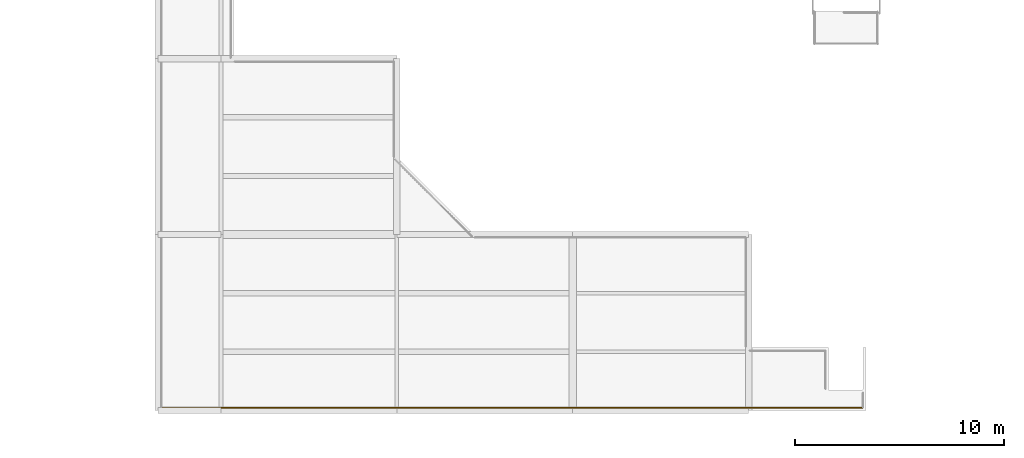
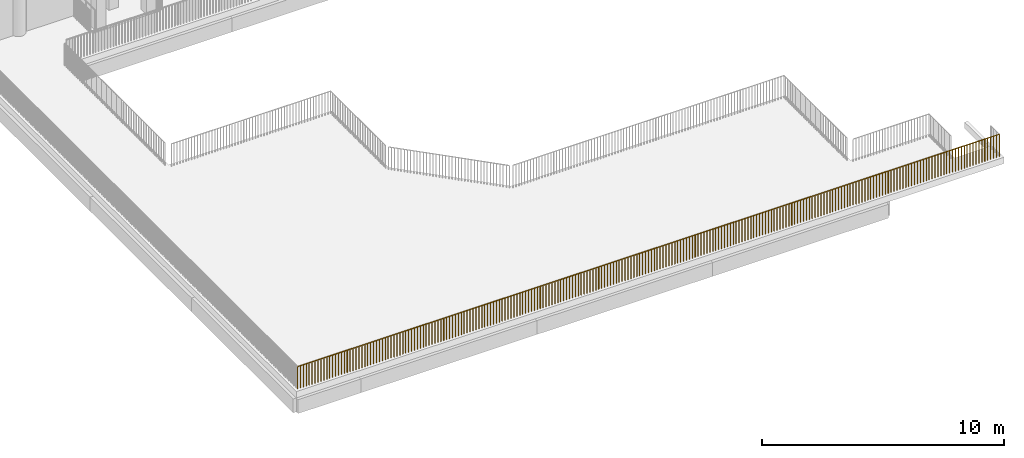
# One storey, part 37 of 51: 1 railing.
"""IFC4 building model written with IfcOpenShell, lengths in metres."""

from ifc_helpers import new_model, si_unit, direction, frame, origin, origin_2d, place, context, subcontext, project, spatial, circle, extrude, material, type_object, element, save


model = new_model("IFC4")

# Units and contexts
model_context = context("Model", 3, precision=1e-05, world=origin(), true_north=direction((0.0, 1.0)))
body_context = subcontext(model_context, "Body", "Model", "MODEL_VIEW")
ifc_project = project(units=[si_unit("LENGTHUNIT", "METRE"), si_unit("AREAUNIT", "SQUARE_METRE"), si_unit("VOLUMEUNIT", "CUBIC_METRE"), si_unit("PLANEANGLEUNIT", "RADIAN"), si_unit("MASSUNIT", "GRAM", prefix="KILO")], contexts=[model_context])

# Site, building, storey
site_placement = place(None, origin())
site = spatial("IfcSite", under=ifc_project, at=site_placement, CompositionType="ELEMENT")
building_placement = place(site_placement, origin())
building = spatial("IfcBuilding", under=site, at=building_placement, Name="Vanh Quang Courtyard School", CompositionType="ELEMENT")
storey_placement = place(building_placement, frame((0.0, 0.0, 11.39990234375)))
storey = spatial("IfcBuildingStorey", under=building, at=storey_placement, Name="L03", CompositionType="ELEMENT", Elevation=11.39990234375)

# Railing
ifc_material = material(Name="Galvanised painted steel EN 10025-2 S355J2", Category="steel")
railing_type = type_object("IfcRailingType", Name="RAIL-GUARD-1150", PredefinedType="BALUSTRADE", material=ifc_material)
railing_placement = place(storey_placement, frame((108.06005859375, 4.340087890625, 0.0)))
element("IfcRailing", 1, at=railing_placement, inside=storey, type_object=railing_type, Name="Railing GR-01 (L03)", PredefinedType="BALUSTRADE", context=body_context, shape_type="SweptSolid", body=[
    extrude(circle(Radius=0.02392578125, at=origin_2d()), frame((0.0, 0.0, 1.1259765625), z_axis=(-1.0, 0.0, 0.0), x_axis=(0.0, -1.0, 0.0)), (0.0, 0.0, 1.0), 33.52001953125),
    extrude(circle(Radius=0.02099609375, at=origin_2d()), origin(), (0.0, 0.0, 1.0), 1.101806640625),
    extrude(circle(Radius=0.02099609375, at=origin_2d()), frame((-0.1396484375, 0.0, 0.0)), (0.0, 0.0, 1.0), 1.101806640625),
    extrude(circle(Radius=0.02099609375, at=origin_2d()), frame((-0.279296875, 0.0, 0.0)), (0.0, 0.0, 1.0), 1.101806640625),
    extrude(circle(Radius=0.02099609375, at=origin_2d()), frame((-0.4189453125, 0.0, 0.0)), (0.0, 0.0, 1.0), 1.101806640625),
    extrude(circle(Radius=0.02099609375, at=origin_2d()), frame((-0.55859375, 0.0, 0.0)), (0.0, 0.0, 1.0), 1.101806640625),
    extrude(circle(Radius=0.02099609375, at=origin_2d()), frame((-0.6982421875, 0.0, 0.0)), (0.0, 0.0, 1.0), 1.101806640625),
    extrude(circle(Radius=0.02099609375, at=origin_2d()), frame((-0.837890625, 0.0, 0.0)), (0.0, 0.0, 1.0), 1.101806640625),
    extrude(circle(Radius=0.02099609375, at=origin_2d()), frame((-0.977783203125, 0.0, 0.0)), (0.0, 0.0, 1.0), 1.101806640625),
    extrude(circle(Radius=0.02099609375, at=origin_2d()), frame((-1.117431640625, 0.0, 0.0)), (0.0, 0.0, 1.0), 1.101806640625),
    extrude(circle(Radius=0.02099609375, at=origin_2d()), frame((-1.257080078125, 0.0, 0.0)), (0.0, 0.0, 1.0), 1.101806640625),
    extrude(circle(Radius=0.02099609375, at=origin_2d()), frame((-1.396728515625, 0.0, 0.0)), (0.0, 0.0, 1.0), 1.101806640625),
    extrude(circle(Radius=0.02099609375, at=origin_2d()), frame((-1.536376953125, 0.0, 0.0)), (0.0, 0.0, 1.0), 1.101806640625),
    extrude(circle(Radius=0.02099609375, at=origin_2d()), frame((-1.676025390625, 0.0, 0.0)), (0.0, 0.0, 1.0), 1.101806640625),
    extrude(circle(Radius=0.02099609375, at=origin_2d()), frame((-1.815673828125, 0.0, 0.0)), (0.0, 0.0, 1.0), 1.101806640625),
    extrude(circle(Radius=0.02099609375, at=origin_2d()), frame((-1.955322265625, 0.0, 0.0)), (0.0, 0.0, 1.0), 1.101806640625),
    extrude(circle(Radius=0.02099609375, at=origin_2d()), frame((-2.094970703125, 0.0, 0.0)), (0.0, 0.0, 1.0), 1.101806640625),
    extrude(circle(Radius=0.02099609375, at=origin_2d()), frame((-2.234619140625, 0.0, 0.0)), (0.0, 0.0, 1.0), 1.101806640625),
    extrude(circle(Radius=0.02099609375, at=origin_2d()), frame((-2.374267578125, 0.0, 0.0)), (0.0, 0.0, 1.0), 1.101806640625),
    extrude(circle(Radius=0.02099609375, at=origin_2d()), frame((-2.513916015625, 0.0, 0.0)), (0.0, 0.0, 1.0), 1.101806640625),
    extrude(circle(Radius=0.02099609375, at=origin_2d()), frame((-2.653564453125, 0.0, 0.0)), (0.0, 0.0, 1.0), 1.101806640625),
    extrude(circle(Radius=0.02099609375, at=origin_2d()), frame((-2.79345703125, 0.0, 0.0)), (0.0, 0.0, 1.0), 1.101806640625),
    extrude(circle(Radius=0.02099609375, at=origin_2d()), frame((-2.93310546875, 0.0, 0.0)), (0.0, 0.0, 1.0), 1.101806640625),
    extrude(circle(Radius=0.02099609375, at=origin_2d()), frame((-3.07275390625, 0.0, 0.0)), (0.0, 0.0, 1.0), 1.101806640625),
    extrude(circle(Radius=0.02099609375, at=origin_2d()), frame((-3.21240234375, 0.0, 0.0)), (0.0, 0.0, 1.0), 1.101806640625),
    extrude(circle(Radius=0.02099609375, at=origin_2d()), frame((-3.35205078125, 0.0, 0.0)), (0.0, 0.0, 1.0), 1.101806640625),
    extrude(circle(Radius=0.02099609375, at=origin_2d()), frame((-3.49169921875, 0.0, 0.0)), (0.0, 0.0, 1.0), 1.101806640625),
    extrude(circle(Radius=0.02099609375, at=origin_2d()), frame((-3.63134765625, 0.0, 0.0)), (0.0, 0.0, 1.0), 1.101806640625),
    extrude(circle(Radius=0.02099609375, at=origin_2d()), frame((-3.77099609375, 0.0, 0.0)), (0.0, 0.0, 1.0), 1.101806640625),
    extrude(circle(Radius=0.02099609375, at=origin_2d()), frame((-3.91064453125, 0.0, 0.0)), (0.0, 0.0, 1.0), 1.101806640625),
    extrude(circle(Radius=0.02099609375, at=origin_2d()), frame((-4.05029296875, 0.0, 0.0)), (0.0, 0.0, 1.0), 1.101806640625),
    extrude(circle(Radius=0.02099609375, at=origin_2d()), frame((-4.18994140625, 0.0, 0.0)), (0.0, 0.0, 1.0), 1.101806640625),
    extrude(circle(Radius=0.02099609375, at=origin_2d()), frame((-4.32958984375, 0.0, 0.0)), (0.0, 0.0, 1.0), 1.101806640625),
    extrude(circle(Radius=0.02099609375, at=origin_2d()), frame((-4.46923828125, 0.0, 0.0)), (0.0, 0.0, 1.0), 1.101806640625),
    extrude(circle(Radius=0.02099609375, at=origin_2d()), frame((-4.60888671875, 0.0, 0.0)), (0.0, 0.0, 1.0), 1.101806640625),
    extrude(circle(Radius=0.02099609375, at=origin_2d()), frame((-4.748779296875, 0.0, 0.0)), (0.0, 0.0, 1.0), 1.101806640625),
    extrude(circle(Radius=0.02099609375, at=origin_2d()), frame((-4.888427734375, 0.0, 0.0)), (0.0, 0.0, 1.0), 1.101806640625),
    extrude(circle(Radius=0.02099609375, at=origin_2d()), frame((-5.028076171875, 0.0, 0.0)), (0.0, 0.0, 1.0), 1.101806640625),
    extrude(circle(Radius=0.02099609375, at=origin_2d()), frame((-5.167724609375, 0.0, 0.0)), (0.0, 0.0, 1.0), 1.101806640625),
    extrude(circle(Radius=0.02099609375, at=origin_2d()), frame((-5.307373046875, 0.0, 0.0)), (0.0, 0.0, 1.0), 1.101806640625),
    extrude(circle(Radius=0.02099609375, at=origin_2d()), frame((-5.447021484375, 0.0, 0.0)), (0.0, 0.0, 1.0), 1.101806640625),
    extrude(circle(Radius=0.02099609375, at=origin_2d()), frame((-5.586669921875, 0.0, 0.0)), (0.0, 0.0, 1.0), 1.101806640625),
    extrude(circle(Radius=0.02099609375, at=origin_2d()), frame((-5.726318359375, 0.0, 0.0)), (0.0, 0.0, 1.0), 1.101806640625),
    extrude(circle(Radius=0.02099609375, at=origin_2d()), frame((-5.865966796875, 0.0, 0.0)), (0.0, 0.0, 1.0), 1.101806640625),
    extrude(circle(Radius=0.02099609375, at=origin_2d()), frame((-6.005615234375, 0.0, 0.0)), (0.0, 0.0, 1.0), 1.101806640625),
    extrude(circle(Radius=0.02099609375, at=origin_2d()), frame((-6.145263671875, 0.0, 0.0)), (0.0, 0.0, 1.0), 1.101806640625),
    extrude(circle(Radius=0.02099609375, at=origin_2d()), frame((-6.284912109375, 0.0, 0.0)), (0.0, 0.0, 1.0), 1.101806640625),
    extrude(circle(Radius=0.02099609375, at=origin_2d()), frame((-6.424560546875, 0.0, 0.0)), (0.0, 0.0, 1.0), 1.101806640625),
    extrude(circle(Radius=0.02099609375, at=origin_2d()), frame((-6.564453125, 0.0, 0.0)), (0.0, 0.0, 1.0), 1.101806640625),
    extrude(circle(Radius=0.02099609375, at=origin_2d()), frame((-6.7041015625, 0.0, 0.0)), (0.0, 0.0, 1.0), 1.101806640625),
    extrude(circle(Radius=0.02099609375, at=origin_2d()), frame((-6.84375, 0.0, 0.0)), (0.0, 0.0, 1.0), 1.101806640625),
    extrude(circle(Radius=0.02099609375, at=origin_2d()), frame((-6.9833984375, 0.0, 0.0)), (0.0, 0.0, 1.0), 1.101806640625),
    extrude(circle(Radius=0.02099609375, at=origin_2d()), frame((-7.123046875, 0.0, 0.0)), (0.0, 0.0, 1.0), 1.101806640625),
    extrude(circle(Radius=0.02099609375, at=origin_2d()), frame((-7.2626953125, 0.0, 0.0)), (0.0, 0.0, 1.0), 1.101806640625),
    extrude(circle(Radius=0.02099609375, at=origin_2d()), frame((-7.40234375, 0.0, 0.0)), (0.0, 0.0, 1.0), 1.101806640625),
    extrude(circle(Radius=0.02099609375, at=origin_2d()), frame((-7.5419921875, 0.0, 0.0)), (0.0, 0.0, 1.0), 1.101806640625),
    extrude(circle(Radius=0.02099609375, at=origin_2d()), frame((-7.681640625, 0.0, 0.0)), (0.0, 0.0, 1.0), 1.101806640625),
    extrude(circle(Radius=0.02099609375, at=origin_2d()), frame((-7.8212890625, 0.0, 0.0)), (0.0, 0.0, 1.0), 1.101806640625),
    extrude(circle(Radius=0.02099609375, at=origin_2d()), frame((-7.9609375, 0.0, 0.0)), (0.0, 0.0, 1.0), 1.101806640625),
    extrude(circle(Radius=0.02099609375, at=origin_2d()), frame((-8.1005859375, 0.0, 0.0)), (0.0, 0.0, 1.0), 1.101806640625),
    extrude(circle(Radius=0.02099609375, at=origin_2d()), frame((-8.240234375, 0.0, 0.0)), (0.0, 0.0, 1.0), 1.101806640625),
    extrude(circle(Radius=0.02099609375, at=origin_2d()), frame((-8.3798828125, 0.0, 0.0)), (0.0, 0.0, 1.0), 1.101806640625),
    extrude(circle(Radius=0.02099609375, at=origin_2d()), frame((-8.519775390625, 0.0, 0.0)), (0.0, 0.0, 1.0), 1.101806640625),
    extrude(circle(Radius=0.02099609375, at=origin_2d()), frame((-8.659423828125, 0.0, 0.0)), (0.0, 0.0, 1.0), 1.101806640625),
    extrude(circle(Radius=0.02099609375, at=origin_2d()), frame((-8.799072265625, 0.0, 0.0)), (0.0, 0.0, 1.0), 1.101806640625),
    extrude(circle(Radius=0.02099609375, at=origin_2d()), frame((-8.938720703125, 0.0, 0.0)), (0.0, 0.0, 1.0), 1.101806640625),
    extrude(circle(Radius=0.02099609375, at=origin_2d()), frame((-9.078369140625, 0.0, 0.0)), (0.0, 0.0, 1.0), 1.101806640625),
    extrude(circle(Radius=0.02099609375, at=origin_2d()), frame((-9.218017578125, 0.0, 0.0)), (0.0, 0.0, 1.0), 1.101806640625),
    extrude(circle(Radius=0.02099609375, at=origin_2d()), frame((-9.357666015625, 0.0, 0.0)), (0.0, 0.0, 1.0), 1.101806640625),
    extrude(circle(Radius=0.02099609375, at=origin_2d()), frame((-9.497314453125, 0.0, 0.0)), (0.0, 0.0, 1.0), 1.101806640625),
    extrude(circle(Radius=0.02099609375, at=origin_2d()), frame((-9.636962890625, 0.0, 0.0)), (0.0, 0.0, 1.0), 1.101806640625),
    extrude(circle(Radius=0.02099609375, at=origin_2d()), frame((-9.776611328125, 0.0, 0.0)), (0.0, 0.0, 1.0), 1.101806640625),
    extrude(circle(Radius=0.02099609375, at=origin_2d()), frame((-9.916259765625, 0.0, 0.0)), (0.0, 0.0, 1.0), 1.101806640625),
    extrude(circle(Radius=0.02099609375, at=origin_2d()), frame((-10.055908203125, 0.0, 0.0)), (0.0, 0.0, 1.0), 1.101806640625),
    extrude(circle(Radius=0.02099609375, at=origin_2d()), frame((-10.195556640625, 0.0, 0.0)), (0.0, 0.0, 1.0), 1.101806640625),
    extrude(circle(Radius=0.02099609375, at=origin_2d()), frame((-10.33544921875, 0.0, 0.0)), (0.0, 0.0, 1.0), 1.101806640625),
    extrude(circle(Radius=0.02099609375, at=origin_2d()), frame((-10.47509765625, 0.0, 0.0)), (0.0, 0.0, 1.0), 1.101806640625),
    extrude(circle(Radius=0.02099609375, at=origin_2d()), frame((-10.61474609375, 0.0, 0.0)), (0.0, 0.0, 1.0), 1.101806640625),
    extrude(circle(Radius=0.02099609375, at=origin_2d()), frame((-10.75439453125, 0.0, 0.0)), (0.0, 0.0, 1.0), 1.101806640625),
    extrude(circle(Radius=0.02099609375, at=origin_2d()), frame((-10.89404296875, 0.0, 0.0)), (0.0, 0.0, 1.0), 1.101806640625),
    extrude(circle(Radius=0.02099609375, at=origin_2d()), frame((-11.03369140625, 0.0, 0.0)), (0.0, 0.0, 1.0), 1.101806640625),
    extrude(circle(Radius=0.02099609375, at=origin_2d()), frame((-11.17333984375, 0.0, 0.0)), (0.0, 0.0, 1.0), 1.101806640625),
    extrude(circle(Radius=0.02099609375, at=origin_2d()), frame((-11.31298828125, 0.0, 0.0)), (0.0, 0.0, 1.0), 1.101806640625),
    extrude(circle(Radius=0.02099609375, at=origin_2d()), frame((-11.45263671875, 0.0, 0.0)), (0.0, 0.0, 1.0), 1.101806640625),
    extrude(circle(Radius=0.02099609375, at=origin_2d()), frame((-11.59228515625, 0.0, 0.0)), (0.0, 0.0, 1.0), 1.101806640625),
    extrude(circle(Radius=0.02099609375, at=origin_2d()), frame((-11.73193359375, 0.0, 0.0)), (0.0, 0.0, 1.0), 1.101806640625),
    extrude(circle(Radius=0.02099609375, at=origin_2d()), frame((-11.87158203125, 0.0, 0.0)), (0.0, 0.0, 1.0), 1.101806640625),
    extrude(circle(Radius=0.02099609375, at=origin_2d()), frame((-12.01123046875, 0.0, 0.0)), (0.0, 0.0, 1.0), 1.101806640625),
    extrude(circle(Radius=0.02099609375, at=origin_2d()), frame((-12.151123046875, 0.0, 0.0)), (0.0, 0.0, 1.0), 1.101806640625),
    extrude(circle(Radius=0.02099609375, at=origin_2d()), frame((-12.290771484375, 0.0, 0.0)), (0.0, 0.0, 1.0), 1.101806640625),
    extrude(circle(Radius=0.02099609375, at=origin_2d()), frame((-12.430419921875, 0.0, 0.0)), (0.0, 0.0, 1.0), 1.101806640625),
    extrude(circle(Radius=0.02099609375, at=origin_2d()), frame((-12.570068359375, 0.0, 0.0)), (0.0, 0.0, 1.0), 1.101806640625),
    extrude(circle(Radius=0.02099609375, at=origin_2d()), frame((-12.709716796875, 0.0, 0.0)), (0.0, 0.0, 1.0), 1.101806640625),
    extrude(circle(Radius=0.02099609375, at=origin_2d()), frame((-12.849365234375, 0.0, 0.0)), (0.0, 0.0, 1.0), 1.101806640625),
    extrude(circle(Radius=0.02099609375, at=origin_2d()), frame((-12.989013671875, 0.0, 0.0)), (0.0, 0.0, 1.0), 1.101806640625),
    extrude(circle(Radius=0.02099609375, at=origin_2d()), frame((-13.128662109375, 0.0, 0.0)), (0.0, 0.0, 1.0), 1.101806640625),
    extrude(circle(Radius=0.02099609375, at=origin_2d()), frame((-13.268310546875, 0.0, 0.0)), (0.0, 0.0, 1.0), 1.101806640625),
    extrude(circle(Radius=0.02099609375, at=origin_2d()), frame((-13.407958984375, 0.0, 0.0)), (0.0, 0.0, 1.0), 1.101806640625),
    extrude(circle(Radius=0.02099609375, at=origin_2d()), frame((-13.547607421875, 0.0, 0.0)), (0.0, 0.0, 1.0), 1.101806640625),
    extrude(circle(Radius=0.02099609375, at=origin_2d()), frame((-13.687255859375, 0.0, 0.0)), (0.0, 0.0, 1.0), 1.101806640625),
    extrude(circle(Radius=0.02099609375, at=origin_2d()), frame((-13.826904296875, 0.0, 0.0)), (0.0, 0.0, 1.0), 1.101806640625),
    extrude(circle(Radius=0.02099609375, at=origin_2d()), frame((-13.966796875, 0.0, 0.0)), (0.0, 0.0, 1.0), 1.101806640625),
    extrude(circle(Radius=0.02099609375, at=origin_2d()), frame((-14.1064453125, 0.0, 0.0)), (0.0, 0.0, 1.0), 1.101806640625),
    extrude(circle(Radius=0.02099609375, at=origin_2d()), frame((-14.24609375, 0.0, 0.0)), (0.0, 0.0, 1.0), 1.101806640625),
    extrude(circle(Radius=0.02099609375, at=origin_2d()), frame((-14.3857421875, 0.0, 0.0)), (0.0, 0.0, 1.0), 1.101806640625),
    extrude(circle(Radius=0.02099609375, at=origin_2d()), frame((-14.525390625, 0.0, 0.0)), (0.0, 0.0, 1.0), 1.101806640625),
    extrude(circle(Radius=0.02099609375, at=origin_2d()), frame((-14.6650390625, 0.0, 0.0)), (0.0, 0.0, 1.0), 1.101806640625),
    extrude(circle(Radius=0.02099609375, at=origin_2d()), frame((-14.8046875, 0.0, 0.0)), (0.0, 0.0, 1.0), 1.101806640625),
    extrude(circle(Radius=0.02099609375, at=origin_2d()), frame((-14.9443359375, 0.0, 0.0)), (0.0, 0.0, 1.0), 1.101806640625),
    extrude(circle(Radius=0.02099609375, at=origin_2d()), frame((-15.083984375, 0.0, 0.0)), (0.0, 0.0, 1.0), 1.101806640625),
    extrude(circle(Radius=0.02099609375, at=origin_2d()), frame((-15.2236328125, 0.0, 0.0)), (0.0, 0.0, 1.0), 1.101806640625),
    extrude(circle(Radius=0.02099609375, at=origin_2d()), frame((-15.36328125, 0.0, 0.0)), (0.0, 0.0, 1.0), 1.101806640625),
    extrude(circle(Radius=0.02099609375, at=origin_2d()), frame((-15.5029296875, 0.0, 0.0)), (0.0, 0.0, 1.0), 1.101806640625),
    extrude(circle(Radius=0.02099609375, at=origin_2d()), frame((-15.642578125, 0.0, 0.0)), (0.0, 0.0, 1.0), 1.101806640625),
    extrude(circle(Radius=0.02099609375, at=origin_2d()), frame((-15.7822265625, 0.0, 0.0)), (0.0, 0.0, 1.0), 1.101806640625),
    extrude(circle(Radius=0.02099609375, at=origin_2d()), frame((-15.922119140625, 0.0, 0.0)), (0.0, 0.0, 1.0), 1.101806640625),
    extrude(circle(Radius=0.02099609375, at=origin_2d()), frame((-16.061767578125, 0.0, 0.0)), (0.0, 0.0, 1.0), 1.101806640625),
    extrude(circle(Radius=0.02099609375, at=origin_2d()), frame((-16.201416015625, 0.0, 0.0)), (0.0, 0.0, 1.0), 1.101806640625),
    extrude(circle(Radius=0.02099609375, at=origin_2d()), frame((-16.341064453125, 0.0, 0.0)), (0.0, 0.0, 1.0), 1.101806640625),
    extrude(circle(Radius=0.02099609375, at=origin_2d()), frame((-16.480712890625, 0.0, 0.0)), (0.0, 0.0, 1.0), 1.101806640625),
    extrude(circle(Radius=0.02099609375, at=origin_2d()), frame((-16.620361328125, 0.0, 0.0)), (0.0, 0.0, 1.0), 1.101806640625),
    extrude(circle(Radius=0.02099609375, at=origin_2d()), frame((-16.760009765625, 0.0, 0.0)), (0.0, 0.0, 1.0), 1.101806640625),
    extrude(circle(Radius=0.02099609375, at=origin_2d()), frame((-16.899658203125, 0.0, 0.0)), (0.0, 0.0, 1.0), 1.101806640625),
    extrude(circle(Radius=0.02099609375, at=origin_2d()), frame((-17.039306640625, 0.0, 0.0)), (0.0, 0.0, 1.0), 1.101806640625),
    extrude(circle(Radius=0.02099609375, at=origin_2d()), frame((-17.178955078125, 0.0, 0.0)), (0.0, 0.0, 1.0), 1.101806640625),
    extrude(circle(Radius=0.02099609375, at=origin_2d()), frame((-17.318603515625, 0.0, 0.0)), (0.0, 0.0, 1.0), 1.101806640625),
    extrude(circle(Radius=0.02099609375, at=origin_2d()), frame((-17.458251953125, 0.0, 0.0)), (0.0, 0.0, 1.0), 1.101806640625),
    extrude(circle(Radius=0.02099609375, at=origin_2d()), frame((-17.597900390625, 0.0, 0.0)), (0.0, 0.0, 1.0), 1.101806640625),
    extrude(circle(Radius=0.02099609375, at=origin_2d()), frame((-17.73779296875, 0.0, 0.0)), (0.0, 0.0, 1.0), 1.101806640625),
    extrude(circle(Radius=0.02099609375, at=origin_2d()), frame((-17.87744140625, 0.0, 0.0)), (0.0, 0.0, 1.0), 1.101806640625),
    extrude(circle(Radius=0.02099609375, at=origin_2d()), frame((-18.01708984375, 0.0, 0.0)), (0.0, 0.0, 1.0), 1.101806640625),
    extrude(circle(Radius=0.02099609375, at=origin_2d()), frame((-18.15673828125, 0.0, 0.0)), (0.0, 0.0, 1.0), 1.101806640625),
    extrude(circle(Radius=0.02099609375, at=origin_2d()), frame((-18.29638671875, 0.0, 0.0)), (0.0, 0.0, 1.0), 1.101806640625),
    extrude(circle(Radius=0.02099609375, at=origin_2d()), frame((-18.43603515625, 0.0, 0.0)), (0.0, 0.0, 1.0), 1.101806640625),
    extrude(circle(Radius=0.02099609375, at=origin_2d()), frame((-18.57568359375, 0.0, 0.0)), (0.0, 0.0, 1.0), 1.101806640625),
    extrude(circle(Radius=0.02099609375, at=origin_2d()), frame((-18.71533203125, 0.0, 0.0)), (0.0, 0.0, 1.0), 1.101806640625),
    extrude(circle(Radius=0.02099609375, at=origin_2d()), frame((-18.85498046875, 0.0, 0.0)), (0.0, 0.0, 1.0), 1.101806640625),
    extrude(circle(Radius=0.02099609375, at=origin_2d()), frame((-18.99462890625, 0.0, 0.0)), (0.0, 0.0, 1.0), 1.101806640625),
    extrude(circle(Radius=0.02099609375, at=origin_2d()), frame((-19.13427734375, 0.0, 0.0)), (0.0, 0.0, 1.0), 1.101806640625),
    extrude(circle(Radius=0.02099609375, at=origin_2d()), frame((-19.27392578125, 0.0, 0.0)), (0.0, 0.0, 1.0), 1.101806640625),
    extrude(circle(Radius=0.02099609375, at=origin_2d()), frame((-19.41357421875, 0.0, 0.0)), (0.0, 0.0, 1.0), 1.101806640625),
    extrude(circle(Radius=0.02099609375, at=origin_2d()), frame((-19.55322265625, 0.0, 0.0)), (0.0, 0.0, 1.0), 1.101806640625),
    extrude(circle(Radius=0.02099609375, at=origin_2d()), frame((-19.693115234375, 0.0, 0.0)), (0.0, 0.0, 1.0), 1.101806640625),
    extrude(circle(Radius=0.02099609375, at=origin_2d()), frame((-19.832763671875, 0.0, 0.0)), (0.0, 0.0, 1.0), 1.101806640625),
    extrude(circle(Radius=0.02099609375, at=origin_2d()), frame((-19.972412109375, 0.0, 0.0)), (0.0, 0.0, 1.0), 1.101806640625),
    extrude(circle(Radius=0.02099609375, at=origin_2d()), frame((-20.112060546875, 0.0, 0.0)), (0.0, 0.0, 1.0), 1.101806640625),
    extrude(circle(Radius=0.02099609375, at=origin_2d()), frame((-20.251708984375, 0.0, 0.0)), (0.0, 0.0, 1.0), 1.101806640625),
    extrude(circle(Radius=0.02099609375, at=origin_2d()), frame((-20.391357421875, 0.0, 0.0)), (0.0, 0.0, 1.0), 1.101806640625),
    extrude(circle(Radius=0.02099609375, at=origin_2d()), frame((-20.531005859375, 0.0, 0.0)), (0.0, 0.0, 1.0), 1.101806640625),
    extrude(circle(Radius=0.02099609375, at=origin_2d()), frame((-20.670654296875, 0.0, 0.0)), (0.0, 0.0, 1.0), 1.101806640625),
    extrude(circle(Radius=0.02099609375, at=origin_2d()), frame((-20.810302734375, 0.0, 0.0)), (0.0, 0.0, 1.0), 1.101806640625),
    extrude(circle(Radius=0.02099609375, at=origin_2d()), frame((-20.949951171875, 0.0, 0.0)), (0.0, 0.0, 1.0), 1.101806640625),
    extrude(circle(Radius=0.02099609375, at=origin_2d()), frame((-21.089599609375, 0.0, 0.0)), (0.0, 0.0, 1.0), 1.101806640625),
    extrude(circle(Radius=0.02099609375, at=origin_2d()), frame((-21.229248046875, 0.0, 0.0)), (0.0, 0.0, 1.0), 1.101806640625),
    extrude(circle(Radius=0.02099609375, at=origin_2d()), frame((-21.368896484375, 0.0, 0.0)), (0.0, 0.0, 1.0), 1.101806640625),
    extrude(circle(Radius=0.02099609375, at=origin_2d()), frame((-21.5087890625, 0.0, 0.0)), (0.0, 0.0, 1.0), 1.101806640625),
    extrude(circle(Radius=0.02099609375, at=origin_2d()), frame((-21.6484375, 0.0, 0.0)), (0.0, 0.0, 1.0), 1.101806640625),
    extrude(circle(Radius=0.02099609375, at=origin_2d()), frame((-21.7880859375, 0.0, 0.0)), (0.0, 0.0, 1.0), 1.101806640625),
    extrude(circle(Radius=0.02099609375, at=origin_2d()), frame((-21.927734375, 0.0, 0.0)), (0.0, 0.0, 1.0), 1.101806640625),
    extrude(circle(Radius=0.02099609375, at=origin_2d()), frame((-22.0673828125, 0.0, 0.0)), (0.0, 0.0, 1.0), 1.101806640625),
    extrude(circle(Radius=0.02099609375, at=origin_2d()), frame((-22.20703125, 0.0, 0.0)), (0.0, 0.0, 1.0), 1.101806640625),
    extrude(circle(Radius=0.02099609375, at=origin_2d()), frame((-22.3466796875, 0.0, 0.0)), (0.0, 0.0, 1.0), 1.101806640625),
    extrude(circle(Radius=0.02099609375, at=origin_2d()), frame((-22.486328125, 0.0, 0.0)), (0.0, 0.0, 1.0), 1.101806640625),
    extrude(circle(Radius=0.02099609375, at=origin_2d()), frame((-22.6259765625, 0.0, 0.0)), (0.0, 0.0, 1.0), 1.101806640625),
    extrude(circle(Radius=0.02099609375, at=origin_2d()), frame((-22.765625, 0.0, 0.0)), (0.0, 0.0, 1.0), 1.101806640625),
    extrude(circle(Radius=0.02099609375, at=origin_2d()), frame((-22.9052734375, 0.0, 0.0)), (0.0, 0.0, 1.0), 1.101806640625),
    extrude(circle(Radius=0.02099609375, at=origin_2d()), frame((-23.044921875, 0.0, 0.0)), (0.0, 0.0, 1.0), 1.101806640625),
    extrude(circle(Radius=0.02099609375, at=origin_2d()), frame((-23.1845703125, 0.0, 0.0)), (0.0, 0.0, 1.0), 1.101806640625),
    extrude(circle(Radius=0.02099609375, at=origin_2d()), frame((-23.324462890625, 0.0, 0.0)), (0.0, 0.0, 1.0), 1.101806640625),
    extrude(circle(Radius=0.02099609375, at=origin_2d()), frame((-23.464111328125, 0.0, 0.0)), (0.0, 0.0, 1.0), 1.101806640625),
    extrude(circle(Radius=0.02099609375, at=origin_2d()), frame((-23.603759765625, 0.0, 0.0)), (0.0, 0.0, 1.0), 1.101806640625),
    extrude(circle(Radius=0.02099609375, at=origin_2d()), frame((-23.743408203125, 0.0, 0.0)), (0.0, 0.0, 1.0), 1.101806640625),
    extrude(circle(Radius=0.02099609375, at=origin_2d()), frame((-23.883056640625, 0.0, 0.0)), (0.0, 0.0, 1.0), 1.101806640625),
    extrude(circle(Radius=0.02099609375, at=origin_2d()), frame((-24.022705078125, 0.0, 0.0)), (0.0, 0.0, 1.0), 1.101806640625),
    extrude(circle(Radius=0.02099609375, at=origin_2d()), frame((-24.162353515625, 0.0, 0.0)), (0.0, 0.0, 1.0), 1.101806640625),
    extrude(circle(Radius=0.02099609375, at=origin_2d()), frame((-24.302001953125, 0.0, 0.0)), (0.0, 0.0, 1.0), 1.101806640625),
    extrude(circle(Radius=0.02099609375, at=origin_2d()), frame((-24.441650390625, 0.0, 0.0)), (0.0, 0.0, 1.0), 1.101806640625),
    extrude(circle(Radius=0.02099609375, at=origin_2d()), frame((-24.581298828125, 0.0, 0.0)), (0.0, 0.0, 1.0), 1.101806640625),
    extrude(circle(Radius=0.02099609375, at=origin_2d()), frame((-24.720947265625, 0.0, 0.0)), (0.0, 0.0, 1.0), 1.101806640625),
    extrude(circle(Radius=0.02099609375, at=origin_2d()), frame((-24.860595703125, 0.0, 0.0)), (0.0, 0.0, 1.0), 1.101806640625),
    extrude(circle(Radius=0.02099609375, at=origin_2d()), frame((-25.000244140625, 0.0, 0.0)), (0.0, 0.0, 1.0), 1.101806640625),
    extrude(circle(Radius=0.02099609375, at=origin_2d()), frame((-25.14013671875, 0.0, 0.0)), (0.0, 0.0, 1.0), 1.101806640625),
    extrude(circle(Radius=0.02099609375, at=origin_2d()), frame((-25.27978515625, 0.0, 0.0)), (0.0, 0.0, 1.0), 1.101806640625),
    extrude(circle(Radius=0.02099609375, at=origin_2d()), frame((-25.41943359375, 0.0, 0.0)), (0.0, 0.0, 1.0), 1.101806640625),
    extrude(circle(Radius=0.02099609375, at=origin_2d()), frame((-25.55908203125, 0.0, 0.0)), (0.0, 0.0, 1.0), 1.101806640625),
    extrude(circle(Radius=0.02099609375, at=origin_2d()), frame((-25.69873046875, 0.0, 0.0)), (0.0, 0.0, 1.0), 1.101806640625),
    extrude(circle(Radius=0.02099609375, at=origin_2d()), frame((-25.83837890625, 0.0, 0.0)), (0.0, 0.0, 1.0), 1.101806640625),
    extrude(circle(Radius=0.02099609375, at=origin_2d()), frame((-25.97802734375, 0.0, 0.0)), (0.0, 0.0, 1.0), 1.101806640625),
    extrude(circle(Radius=0.02099609375, at=origin_2d()), frame((-26.11767578125, 0.0, 0.0)), (0.0, 0.0, 1.0), 1.101806640625),
    extrude(circle(Radius=0.02099609375, at=origin_2d()), frame((-26.25732421875, 0.0, 0.0)), (0.0, 0.0, 1.0), 1.101806640625),
    extrude(circle(Radius=0.02099609375, at=origin_2d()), frame((-26.39697265625, 0.0, 0.0)), (0.0, 0.0, 1.0), 1.101806640625),
    extrude(circle(Radius=0.02099609375, at=origin_2d()), frame((-26.53662109375, 0.0, 0.0)), (0.0, 0.0, 1.0), 1.101806640625),
    extrude(circle(Radius=0.02099609375, at=origin_2d()), frame((-26.67626953125, 0.0, 0.0)), (0.0, 0.0, 1.0), 1.101806640625),
    extrude(circle(Radius=0.02099609375, at=origin_2d()), frame((-26.81591796875, 0.0, 0.0)), (0.0, 0.0, 1.0), 1.101806640625),
    extrude(circle(Radius=0.02099609375, at=origin_2d()), frame((-26.95556640625, 0.0, 0.0)), (0.0, 0.0, 1.0), 1.101806640625),
    extrude(circle(Radius=0.02099609375, at=origin_2d()), frame((-27.095458984375, 0.0, 0.0)), (0.0, 0.0, 1.0), 1.101806640625),
    extrude(circle(Radius=0.02099609375, at=origin_2d()), frame((-27.235107421875, 0.0, 0.0)), (0.0, 0.0, 1.0), 1.101806640625),
    extrude(circle(Radius=0.02099609375, at=origin_2d()), frame((-27.374755859375, 0.0, 0.0)), (0.0, 0.0, 1.0), 1.101806640625),
    extrude(circle(Radius=0.02099609375, at=origin_2d()), frame((-27.514404296875, 0.0, 0.0)), (0.0, 0.0, 1.0), 1.101806640625),
    extrude(circle(Radius=0.02099609375, at=origin_2d()), frame((-27.654052734375, 0.0, 0.0)), (0.0, 0.0, 1.0), 1.101806640625),
    extrude(circle(Radius=0.02099609375, at=origin_2d()), frame((-27.793701171875, 0.0, 0.0)), (0.0, 0.0, 1.0), 1.101806640625),
    extrude(circle(Radius=0.02099609375, at=origin_2d()), frame((-27.933349609375, 0.0, 0.0)), (0.0, 0.0, 1.0), 1.101806640625),
    extrude(circle(Radius=0.02099609375, at=origin_2d()), frame((-28.072998046875, 0.0, 0.0)), (0.0, 0.0, 1.0), 1.101806640625),
    extrude(circle(Radius=0.02099609375, at=origin_2d()), frame((-28.212646484375, 0.0, 0.0)), (0.0, 0.0, 1.0), 1.101806640625),
    extrude(circle(Radius=0.02099609375, at=origin_2d()), frame((-28.352294921875, 0.0, 0.0)), (0.0, 0.0, 1.0), 1.101806640625),
    extrude(circle(Radius=0.02099609375, at=origin_2d()), frame((-28.491943359375, 0.0, 0.0)), (0.0, 0.0, 1.0), 1.101806640625),
    extrude(circle(Radius=0.02099609375, at=origin_2d()), frame((-28.631591796875, 0.0, 0.0)), (0.0, 0.0, 1.0), 1.101806640625),
    extrude(circle(Radius=0.02099609375, at=origin_2d()), frame((-28.771240234375, 0.0, 0.0)), (0.0, 0.0, 1.0), 1.101806640625),
    extrude(circle(Radius=0.02099609375, at=origin_2d()), frame((-28.9111328125, 0.0, 0.0)), (0.0, 0.0, 1.0), 1.101806640625),
    extrude(circle(Radius=0.02099609375, at=origin_2d()), frame((-29.05078125, 0.0, 0.0)), (0.0, 0.0, 1.0), 1.101806640625),
    extrude(circle(Radius=0.02099609375, at=origin_2d()), frame((-29.1904296875, 0.0, 0.0)), (0.0, 0.0, 1.0), 1.101806640625),
    extrude(circle(Radius=0.02099609375, at=origin_2d()), frame((-29.330078125, 0.0, 0.0)), (0.0, 0.0, 1.0), 1.101806640625),
    extrude(circle(Radius=0.02099609375, at=origin_2d()), frame((-29.4697265625, 0.0, 0.0)), (0.0, 0.0, 1.0), 1.101806640625),
    extrude(circle(Radius=0.02099609375, at=origin_2d()), frame((-29.609375, 0.0, 0.0)), (0.0, 0.0, 1.0), 1.101806640625),
    extrude(circle(Radius=0.02099609375, at=origin_2d()), frame((-29.7490234375, 0.0, 0.0)), (0.0, 0.0, 1.0), 1.101806640625),
    extrude(circle(Radius=0.02099609375, at=origin_2d()), frame((-29.888671875, 0.0, 0.0)), (0.0, 0.0, 1.0), 1.101806640625),
    extrude(circle(Radius=0.02099609375, at=origin_2d()), frame((-30.0283203125, 0.0, 0.0)), (0.0, 0.0, 1.0), 1.101806640625),
    extrude(circle(Radius=0.02099609375, at=origin_2d()), frame((-30.16796875, 0.0, 0.0)), (0.0, 0.0, 1.0), 1.101806640625),
    extrude(circle(Radius=0.02099609375, at=origin_2d()), frame((-30.3076171875, 0.0, 0.0)), (0.0, 0.0, 1.0), 1.101806640625),
    extrude(circle(Radius=0.02099609375, at=origin_2d()), frame((-30.447265625, 0.0, 0.0)), (0.0, 0.0, 1.0), 1.101806640625),
    extrude(circle(Radius=0.02099609375, at=origin_2d()), frame((-30.5869140625, 0.0, 0.0)), (0.0, 0.0, 1.0), 1.101806640625),
    extrude(circle(Radius=0.02099609375, at=origin_2d()), frame((-30.7265625, 0.0, 0.0)), (0.0, 0.0, 1.0), 1.101806640625),
    extrude(circle(Radius=0.02099609375, at=origin_2d()), frame((-30.866455078125, 0.0, 0.0)), (0.0, 0.0, 1.0), 1.101806640625),
    extrude(circle(Radius=0.02099609375, at=origin_2d()), frame((-31.006103515625, 0.0, 0.0)), (0.0, 0.0, 1.0), 1.101806640625),
    extrude(circle(Radius=0.02099609375, at=origin_2d()), frame((-31.145751953125, 0.0, 0.0)), (0.0, 0.0, 1.0), 1.101806640625),
    extrude(circle(Radius=0.02099609375, at=origin_2d()), frame((-31.285400390625, 0.0, 0.0)), (0.0, 0.0, 1.0), 1.101806640625),
    extrude(circle(Radius=0.02099609375, at=origin_2d()), frame((-31.425048828125, 0.0, 0.0)), (0.0, 0.0, 1.0), 1.101806640625),
    extrude(circle(Radius=0.02099609375, at=origin_2d()), frame((-31.564697265625, 0.0, 0.0)), (0.0, 0.0, 1.0), 1.101806640625),
    extrude(circle(Radius=0.02099609375, at=origin_2d()), frame((-31.704345703125, 0.0, 0.0)), (0.0, 0.0, 1.0), 1.101806640625),
    extrude(circle(Radius=0.02099609375, at=origin_2d()), frame((-31.843994140625, 0.0, 0.0)), (0.0, 0.0, 1.0), 1.101806640625),
    extrude(circle(Radius=0.02099609375, at=origin_2d()), frame((-31.983642578125, 0.0, 0.0)), (0.0, 0.0, 1.0), 1.101806640625),
    extrude(circle(Radius=0.02099609375, at=origin_2d()), frame((-32.123291015625, 0.0, 0.0)), (0.0, 0.0, 1.0), 1.101806640625),
    extrude(circle(Radius=0.02099609375, at=origin_2d()), frame((-32.262939453125, 0.0, 0.0)), (0.0, 0.0, 1.0), 1.101806640625),
    extrude(circle(Radius=0.02099609375, at=origin_2d()), frame((-32.402587890625, 0.0, 0.0)), (0.0, 0.0, 1.0), 1.101806640625),
    extrude(circle(Radius=0.02099609375, at=origin_2d()), frame((-32.542236328125, 0.0, 0.0)), (0.0, 0.0, 1.0), 1.101806640625),
    extrude(circle(Radius=0.02099609375, at=origin_2d()), frame((-32.68212890625, 0.0, 0.0)), (0.0, 0.0, 1.0), 1.101806640625),
    extrude(circle(Radius=0.02099609375, at=origin_2d()), frame((-32.82177734375, 0.0, 0.0)), (0.0, 0.0, 1.0), 1.101806640625),
    extrude(circle(Radius=0.02099609375, at=origin_2d()), frame((-32.96142578125, 0.0, 0.0)), (0.0, 0.0, 1.0), 1.101806640625),
    extrude(circle(Radius=0.02099609375, at=origin_2d()), frame((-33.10107421875, 0.0, 0.0)), (0.0, 0.0, 1.0), 1.101806640625),
    extrude(circle(Radius=0.02099609375, at=origin_2d()), frame((-33.24072265625, 0.0, 0.0)), (0.0, 0.0, 1.0), 1.101806640625),
    extrude(circle(Radius=0.02099609375, at=origin_2d()), frame((-33.38037109375, 0.0, 0.0)), (0.0, 0.0, 1.0), 1.101806640625),
    extrude(circle(Radius=0.02099609375, at=origin_2d()), frame((-33.52001953125, 0.0, 0.0)), (0.0, 0.0, 1.0), 1.101806640625),
])

save(model, "model.ifc")
